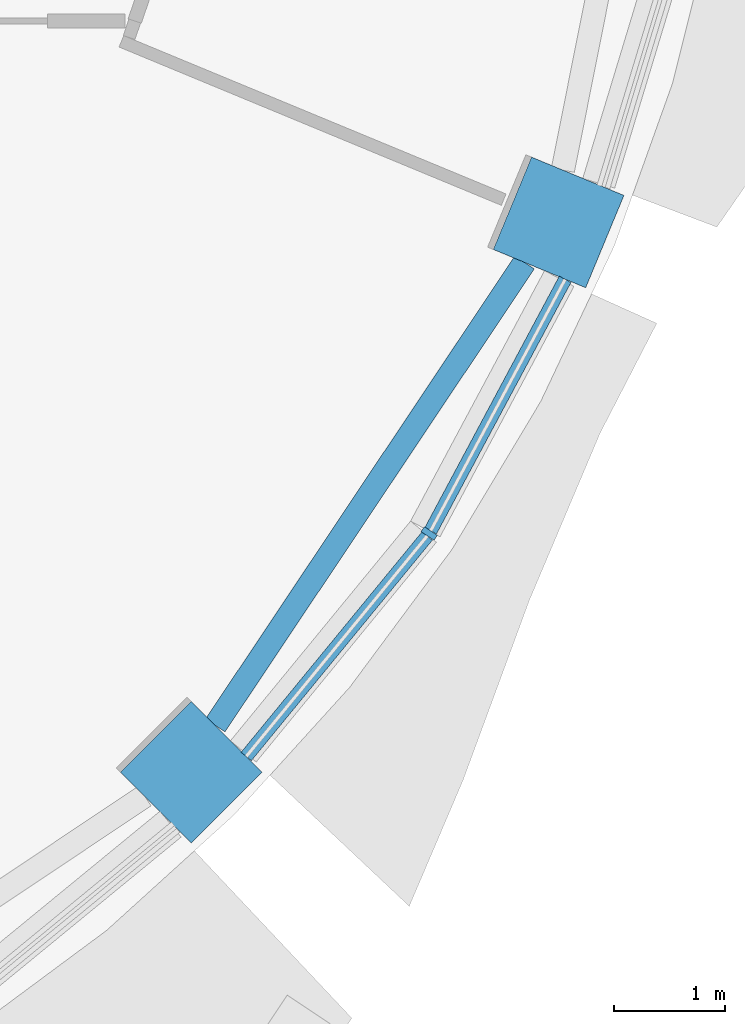
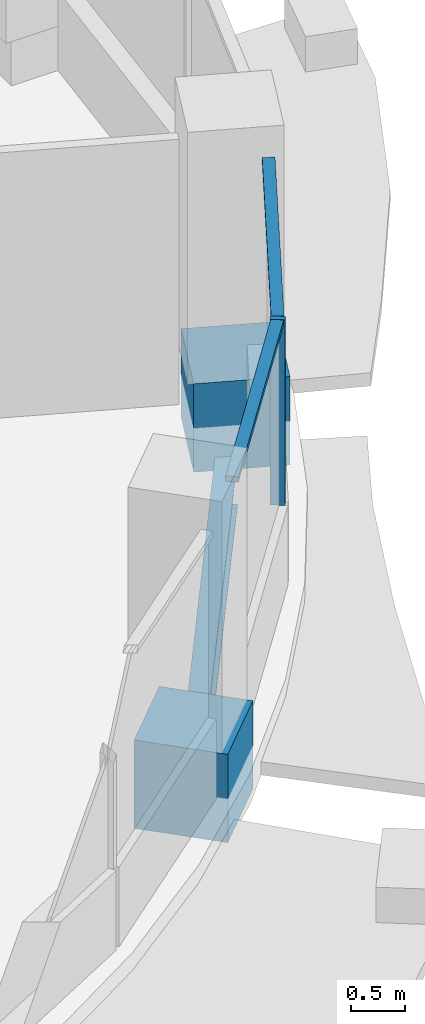
# One storey, part 3 of 14: 5 members, 1 beam, 1 element without a shape of its own.
"""IFC4 building model written with IfcOpenShell, lengths in metres."""

from ifc_helpers import new_model, si_unit, direction, frame, origin, origin_2d, place, context, subcontext, project, spatial, rectangle, i_section, extrude, material, material_profile, profile_set, type_object, element, aggregate, save


model = new_model("IFC4")

# Units and contexts
model_context = context("Model", 3, precision=1e-05, world=origin(), true_north=direction((0.0, 1.0)))
body_context = subcontext(model_context, "Body", "Model", "MODEL_VIEW")
ifc_project = project(units=[si_unit("LENGTHUNIT", "METRE"), si_unit("AREAUNIT", "SQUARE_METRE"), si_unit("VOLUMEUNIT", "CUBIC_METRE"), si_unit("PLANEANGLEUNIT", "RADIAN"), si_unit("MASSUNIT", "GRAM", prefix="KILO")], contexts=[model_context])

# Site, building, storey
site_placement = place(None, origin())
site = spatial("IfcSite", under=ifc_project, at=site_placement, CompositionType="ELEMENT")
building_placement = place(site_placement, origin())
building = spatial("IfcBuilding", under=site, at=building_placement, Name="Polderwave Tower", CompositionType="ELEMENT")
storey_placement = place(building_placement, frame((0.0, 0.0, 217.800048828125)))
storey = spatial("IfcBuildingStorey", under=building, at=storey_placement, Name="L59", CompositionType="ELEMENT", Elevation=217.800048828125)

# Curtain wall, members
ifc_material_1 = material(Name="Aluminium 6063-T6 and glass", Category="aluminium")
curtain_wall_type = type_object("IfcCurtainWallType", Name="Office ribbon glazing wall", PredefinedType="NOTDEFINED", material=ifc_material_1)
curtain_wall_placement = place(storey_placement, origin())
curtain_wall = element("IfcCurtainWall", 1, at=curtain_wall_placement, inside=storey, type_object=curtain_wall_type, Name="CW3 L59 14", PredefinedType="NOTDEFINED")
ifc_material_2 = material(Name="Aluminium 6063-T6", Category="aluminium")
ifc_material_profile_1 = material_profile(ifc_material_2, rectangle(XDim=0.139892578125, YDim=0.054931640625, at=origin_2d()), Name="AL 55x140")
ifc_profile_set_1 = profile_set([ifc_material_profile_1], Name="Aluminium 6063-T6")
member_type_1 = type_object("IfcMemberType", Name="Office ribbon glazing mullion 55x140", PredefinedType="MULLION", material=ifc_profile_set_1)
member_1_placement = place(storey_placement, frame((12.928955078125, -8.638916015625, 0.89990234375), z_axis=(0.0, 0.0, 1.0), x_axis=(-0.831430824157, 0.555628279195, 0.0)))
member_1 = element("IfcMember", 2, at=member_1_placement, type_object=member_type_1, Name="CW3 mullion 1", PredefinedType="MULLION", context=body_context, shape_type="SweptSolid", body=[
    extrude(rectangle(XDim=0.139892578125, YDim=0.054931640625, at=origin_2d()), origin(), (0.0, 0.0, 1.0), 2.10009765625),
])
ifc_material_profile_2 = material_profile(ifc_material_2, rectangle(XDim=0.1201171875, YDim=0.06005859375, at=origin_2d()), Name="AL 60x120")
ifc_profile_set_2 = profile_set([ifc_material_profile_2], Name="Aluminium 6063-T6")
member_type_2 = type_object("IfcMemberType", Name="Office ribbon glazing transom 60x120", PredefinedType="USERDEFINED", material=ifc_profile_set_2)
member_2_placement = place(storey_placement, frame((11.281982421875, -10.64599609375, 2.969970703125), z_axis=(0.634417102491, 0.772990905552, 0.0), x_axis=(-0.772990905552, 0.634417102491, 0.0)))
member_2 = element("IfcMember", 3, at=member_2_placement, type_object=member_type_2, Name="CW3 transom 1", ObjectType="TRANSOM", PredefinedType="USERDEFINED", context=body_context, shape_type="SweptSolid", body=[
    extrude(rectangle(XDim=0.1201171875, YDim=0.06005859375, at=origin_2d()), origin(), (0.0, 0.0, 1.0), 2.568603515625),
])
member_3_placement = place(storey_placement, frame((12.94189453125, -8.61474609375, 2.969970703125), z_axis=(0.471609275387, 0.881807627189, 0.0), x_axis=(-0.881807627189, 0.471609275387, 0.0)))
member_3 = element("IfcMember", 4, at=member_3_placement, type_object=member_type_2, Name="CW3 transom 2", ObjectType="TRANSOM", PredefinedType="USERDEFINED", context=body_context, shape_type="SweptSolid", body=[
    extrude(rectangle(XDim=0.1201171875, YDim=0.06005859375, at=origin_2d()), origin(), (0.0, 0.0, 1.0), 2.568115234375),
])
aggregate(curtain_wall, [member_1, member_2, member_3])

# Members
ifc_material_3 = material(Name="Concrete C60/75", Category="concrete")
ifc_material_profile_3 = material_profile(ifc_material_3, rectangle(XDim=0.89990234375, YDim=0.89990234375, at=origin_2d()), Name="RC 900x900")
ifc_profile_set_3 = profile_set([ifc_material_profile_3], Name="Concrete C60/75")
member_type_3 = type_object("IfcMemberType", Name="RC NODE 900x900 C60/75", PredefinedType="POST", material=ifc_profile_set_3)
for number, where, z_axis, x_axis, name in (
    (5, (10.78759765625, -10.78759765625, -0.5), (0.0, 0.0, 1.0), (0.707106781187, -0.707106781187, 0.0), "Ring column node 15"),
    (6, (14.0947265625, -5.838134765625, -0.5), (0.0, 0.0, 1.0), (0.923879532511, -0.382683432365, 0.0), "Ring column node 16"),
):
    element("IfcMember", number, at=place(storey_placement, frame(where, z_axis=z_axis, x_axis=x_axis)), inside=storey, type_object=member_type_3, Name=name, PredefinedType="POST", context=body_context, shape_type="SweptSolid", body=[
        extrude(rectangle(XDim=0.89990234375, YDim=0.89990234375, at=origin_2d()), origin(), (0.0, 0.0, 1.0), 1.0),
    ])

# Beam
ifc_material_4 = material(Name="Steel S355", Category="steel")
ifc_material_profile_4 = material_profile(ifc_material_4, i_section(OverallWidth=0.2099609375, OverallDepth=0.550048828125, WebThickness=0.010986328125, FlangeThickness=0.01708984375, at=origin_2d()), Name="IPE 550")
ifc_profile_set_4 = profile_set([ifc_material_profile_4], Name="Steel S355")
beam_type = type_object("IfcBeamType", Name="RING BEAM IPE 550", PredefinedType="BEAM", material=ifc_profile_set_4)
beam_placement = place(storey_placement, frame((11.0029296875, -10.366455078125, -0.625), z_axis=(0.555576499258, 0.831465425301, 0.0), x_axis=(-0.831465425301, 0.555576499258, 0.0)))
element("IfcBeam", 7, at=beam_placement, inside=storey, type_object=beam_type, Name="ST-RB-L59-14", PredefinedType="BEAM", context=body_context, shape_type="SweptSolid", body=[
    extrude(i_section(OverallWidth=0.2099609375, OverallDepth=0.550048828125, WebThickness=0.010986328125, FlangeThickness=0.01708984375, at=origin_2d()), origin(), (0.0, 0.0, 1.0), 5.01318359375),
])

save(model, "model.ifc")
